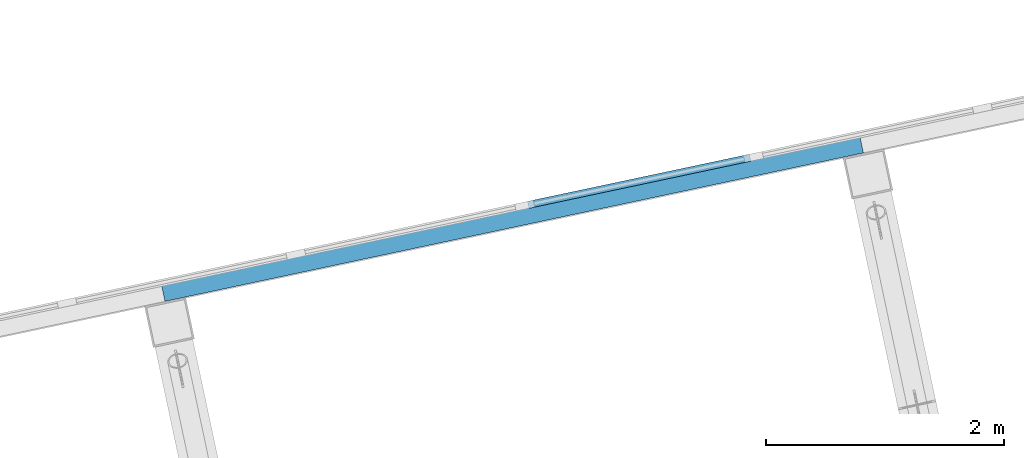
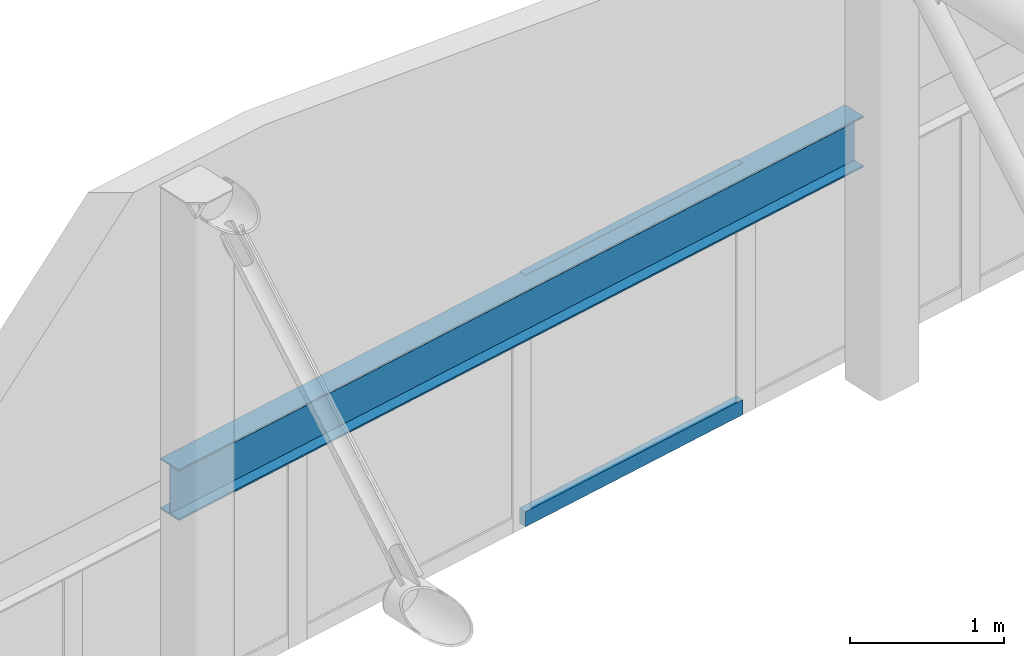
# One storey, part 18 of 58: 2 members, 1 beam, 1 element without a shape of its own.
"""IFC4 building model written with IfcOpenShell, lengths in metres."""

from ifc_helpers import new_model, si_unit, direction, frame, origin, origin_2d, place, context, subcontext, project, spatial, rectangle, i_section, extrude, material, layer, layer_set, material_profile, profile_set, type_object, element, aggregate, save


model = new_model("IFC4")

# Units and contexts
model_context = context("Model", 3, precision=1e-05, world=origin(), true_north=direction((0.0, 1.0)))
body_context = subcontext(model_context, "Body", "Model", "MODEL_VIEW")
ifc_project = project(units=[si_unit("LENGTHUNIT", "METRE"), si_unit("AREAUNIT", "SQUARE_METRE"), si_unit("VOLUMEUNIT", "CUBIC_METRE"), si_unit("PLANEANGLEUNIT", "RADIAN"), si_unit("MASSUNIT", "GRAM", prefix="KILO")], contexts=[model_context])

# Site, building, storey
site_placement = place(None, origin())
site = spatial("IfcSite", under=ifc_project, at=site_placement, CompositionType="ELEMENT")
building_placement = place(site_placement, origin())
building = spatial("IfcBuilding", under=site, at=building_placement, Name="Windward Yard Aquatics Centre", CompositionType="ELEMENT")
storey_placement = place(building_placement, frame((0.0, 0.0, 13.800048828125)))
storey = spatial("IfcBuildingStorey", under=building, at=storey_placement, Name="L03", CompositionType="ELEMENT", Elevation=13.800048828125)

# Curtain wall, members
ifc_material_1 = material(Name="Aluminium and glass", Category="aluminium")
ifc_layer = layer(ifc_material_1, 0.159912109375)
ifc_layer_set = layer_set([ifc_layer], Name="D curtain wall 160")
curtain_wall_type = type_object("IfcCurtainWallType", Name="D curtain wall 160", PredefinedType="NOTDEFINED", material=ifc_layer_set)
curtain_wall_placement = place(storey_placement, origin())
curtain_wall = element("IfcCurtainWall", 1, at=curtain_wall_placement, inside=storey, type_object=curtain_wall_type, Name="North glazing L03", PredefinedType="NOTDEFINED")
ifc_material_2 = material(Name="Aluminium extrusion", Category="aluminium")
ifc_material_profile_1 = material_profile(ifc_material_2, rectangle(XDim=0.06005859375, YDim=0.1201171875, at=origin_2d()), Name="TRANSOM 60X120")
ifc_profile_set_1 = profile_set([ifc_material_profile_1], Name="Aluminium extrusion")
member_type = type_object("IfcMemberType", Name="D curtain wall transom 60X120", PredefinedType="USERDEFINED", material=ifc_profile_set_1)
member_1_placement = place(storey_placement, frame((177.55029296875, 79.2841796875, 0.06005859375), z_axis=(0.978149734379, 0.207901652553, 0.0), x_axis=(-0.207901652553, 0.978149734379, 0.0)))
member_1 = element("IfcMember", 2, at=member_1_placement, type_object=member_type, Name="DCW-L03 transom 12.1", ObjectType="TRANSOM", PredefinedType="USERDEFINED", context=body_context, shape_type="SweptSolid", body=[
    extrude(rectangle(XDim=0.06005859375, YDim=0.1201171875, at=origin_2d()), origin(), (0.0, 0.0, 1.0), 1.906005859375),
])
member_2_placement = place(storey_placement, frame((177.55029296875, 79.2841796875, 1.93994140625), z_axis=(0.978149734379, 0.207901652553, 0.0), x_axis=(-0.207901652553, 0.978149734379, 0.0)))
member_2 = element("IfcMember", 3, at=member_2_placement, type_object=member_type, Name="DCW-L03 transom 12.2", ObjectType="TRANSOM", PredefinedType="USERDEFINED", context=body_context, shape_type="SweptSolid", body=[
    extrude(rectangle(XDim=0.06005859375, YDim=0.1201171875, at=origin_2d()), origin(), (0.0, 0.0, 1.0), 1.906005859375),
])
aggregate(curtain_wall, [member_1, member_2])

# Beam
ifc_material_3 = material(Name="Steel ASTM A992 Gr 50", Category="steel")
ifc_material_profile_2 = material_profile(ifc_material_3, i_section(OverallWidth=0.177978515625, OverallDepth=0.406005859375, WebThickness=0.0078125, FlangeThickness=0.0126953125, at=origin_2d()), Name="W410X60")
ifc_profile_set_2 = profile_set([ifc_material_profile_2], Name="Steel ASTM A992 Gr 50")
beam_type = type_object("IfcBeamType", Name="D fascia girder W410X60", PredefinedType="BEAM", material=ifc_profile_set_2)
beam_placement = place(storey_placement, frame((174.47998046875, 78.56005859375, 1.796875), z_axis=(0.978144681088, 0.207925426197, 0.0), x_axis=(-0.207925426197, 0.978144681088, 0.0)))
element("IfcBeam", 4, at=beam_placement, inside=storey, type_object=beam_type, Name="D.B.FA4", PredefinedType="BEAM", context=body_context, shape_type="SweptSolid", body=[
    extrude(i_section(OverallWidth=0.177978515625, OverallDepth=0.406005859375, WebThickness=0.0078125, FlangeThickness=0.0126953125, at=origin_2d()), origin(), (0.0, 0.0, 1.0), 6.0),
])

save(model, "model.ifc")
